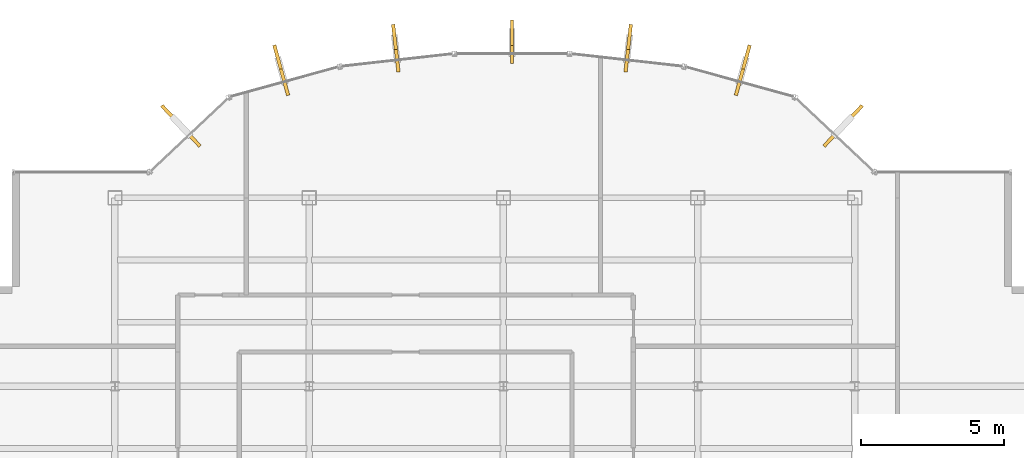
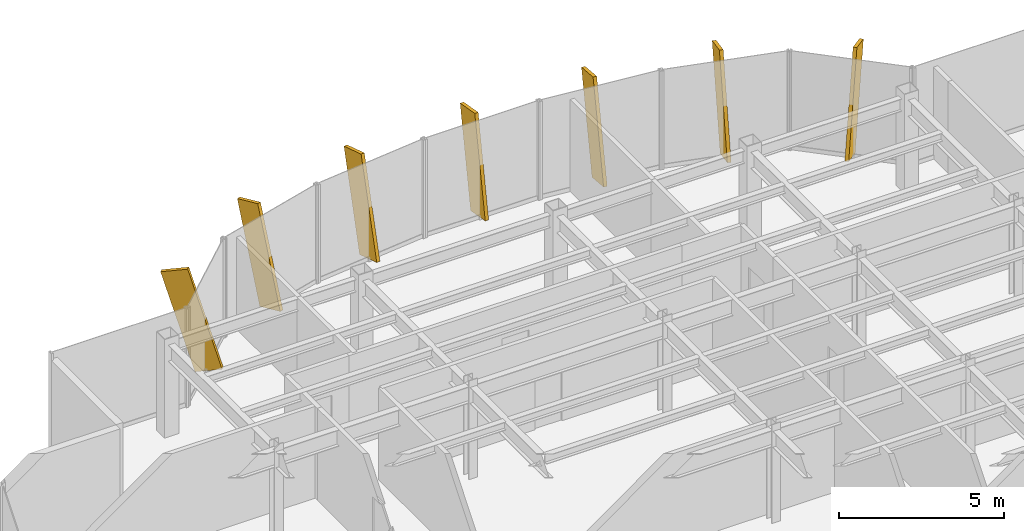
# One storey, part 21 of 22: 7 shading devices.
"""IFC4 building model written with IfcOpenShell, lengths in metres."""

from ifc_helpers import new_model, si_unit, derived_unit, direction, frame, origin, origin_2d, place, context, subcontext, project, spatial, rectangle, extrude, source, transform, mapped, material, type_object, element, save


model = new_model("IFC4")

# Units and contexts
model_context = context("Model", 3, precision=1e-05, world=origin(), true_north=direction((0.0, 1.0)))
body_context = subcontext(model_context, "Body", "Model", "MODEL_VIEW")
ifc_project = project(units=[si_unit("LENGTHUNIT", "METRE"), si_unit("AREAUNIT", "SQUARE_METRE"), si_unit("VOLUMEUNIT", "CUBIC_METRE"), si_unit("PLANEANGLEUNIT", "RADIAN"), si_unit("MASSUNIT", "GRAM", prefix="KILO"), derived_unit("THERMALTRANSMITTANCEUNIT", [(si_unit("POWERUNIT", "WATT"), 1), (si_unit("LENGTHUNIT", "METRE"), -2), (si_unit("THERMODYNAMICTEMPERATUREUNIT", "KELVIN"), -1)])], contexts=[model_context])

# Site, building, storey
site_placement = place(None, origin())
site = spatial("IfcSite", under=ifc_project, at=site_placement, CompositionType="ELEMENT")
building_placement = place(site_placement, origin())
building = spatial("IfcBuilding", under=site, at=building_placement, Name="Skarnbrae Concourse Arena and Tower", CompositionType="ELEMENT")
storey_placement = place(building_placement, frame((0.0, 0.0, 277.050048828125)))
storey = spatial("IfcBuildingStorey", under=building, at=storey_placement, Name="L72", CompositionType="ELEMENT", Elevation=277.050048828125)

# Shading devices
ifc_material = material(Name="Bronze anodised aluminium 6063-T6", Category="aluminium")
shading_device_type = type_object("IfcShadingDeviceType", Name="SHD-BRONZE-FIN-900", PredefinedType="USERDEFINED", material=ifc_material)
shared_shape = source(origin(), body_context, "Body", "SweptSolid", [
    extrude(rectangle(XDim=0.1201171875, YDim=0.89990234375, at=origin_2d()), origin(), (0.0, 0.0, 1.0), 3.64990234375),
])
for number, where, z_axis, x_axis, name in (
    (1, (32.719482421875, 36.522705078125, 0.0830078125), (0.204517004551, 0.217255972062, 0.954448865814), (0.728131751529, -0.685437198009, 0.0), "L72 Outward-leaning bronze shading fin 08"),
    (2, (29.452392578125, 38.40576171875, 0.063720703125), (0.069616483156, 0.252603280643, 0.965062240418), (0.964058316208, -0.265690728011, 0.0), "L72 Outward-leaning bronze shading fin 09"),
    (3, (25.52392578125, 39.2431640625, 0.044189453125), (0.024350376121, 0.217122703093, 0.975840556128), (0.993769864509, -0.111451587667, 0.0), "L72 Outward-leaning bronze shading fin 10"),
    (4, (21.5, 39.5498046875, 0.02783203125), (0.0, 0.173648177667, 0.984807753012), (1.0, 0.0, 0.0), "L72 Outward-leaning bronze shading fin 11"),
    (5, (17.47607421875, 39.2431640625, 0.044189453125), (-0.024350376121, 0.217122703093, 0.975840556128), (0.993769864509, 0.111451587667, 0.0), "L72 Outward-leaning bronze shading fin 12"),
    (6, (13.547607421875, 38.40576171875, 0.063720703125), (-0.069616483156, 0.252603280643, 0.965062240418), (0.964058316208, 0.265690728011, 0.0), "L72 Outward-leaning bronze shading fin 13"),
    (7, (10.280517578125, 36.522705078125, 0.0830078125), (-0.204517004551, 0.217255972062, 0.954448865814), (0.728131751529, 0.685437198009, 0.0), "L72 Outward-leaning bronze shading fin 14"),
):
    element("IfcShadingDevice", number, at=place(storey_placement, frame(where, z_axis=z_axis, x_axis=x_axis)), inside=storey, type_object=shading_device_type, Name=name, ObjectType="FIN", PredefinedType="USERDEFINED", context=body_context, shape_type="MappedRepresentation", body=[
        mapped(shared_shape, transform((0.0, 0.0, 0.0))),
    ])

save(model, "model.ifc")
